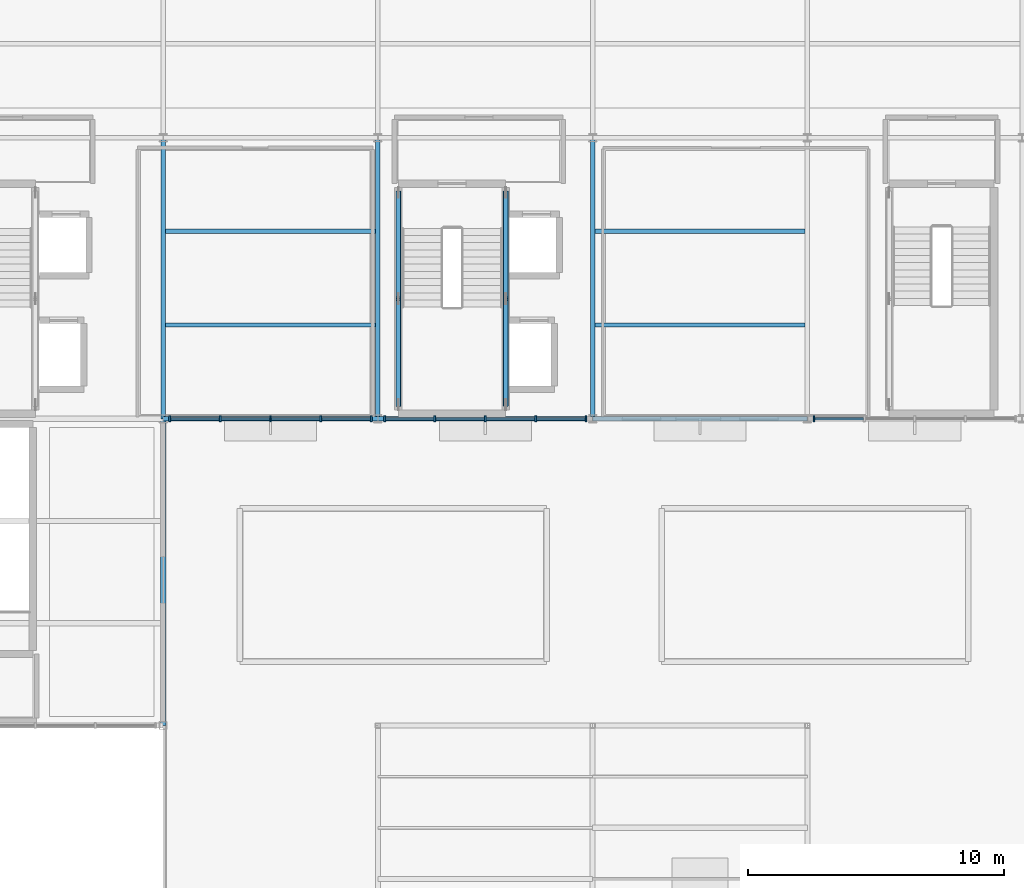
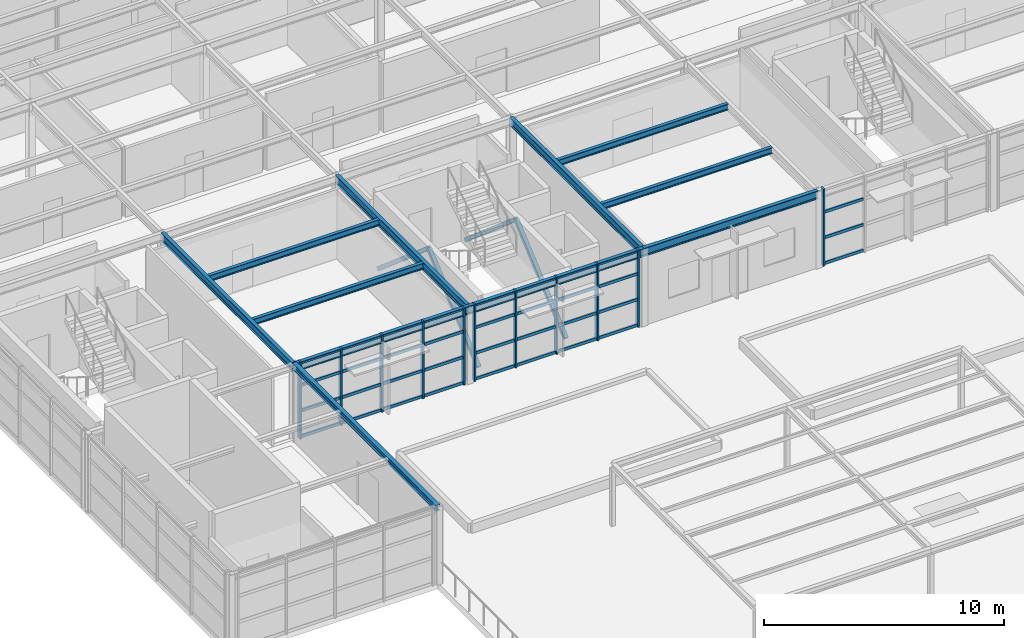
# One storey, part 24 of 49: 50 members, 11 beams, 3 elements without a shape of their own.
"""IFC4 building model written with IfcOpenShell, lengths in metres."""

from ifc_helpers import new_model, si_unit, direction, frame, origin, origin_2d, place, context, subcontext, project, spatial, rectangle, hollow_rectangle, i_section, extrude, material, layer, layer_set, material_profile, profile_set, type_object, element, aggregate, save


model = new_model("IFC4")

# Units and contexts
model_context = context("Model", 3, precision=1e-05, world=origin(), true_north=direction((0.0, 1.0)))
body_context = subcontext(model_context, "Body", "Model", "MODEL_VIEW")
ifc_project = project(units=[si_unit("LENGTHUNIT", "METRE"), si_unit("AREAUNIT", "SQUARE_METRE"), si_unit("VOLUMEUNIT", "CUBIC_METRE"), si_unit("PLANEANGLEUNIT", "RADIAN"), si_unit("MASSUNIT", "GRAM", prefix="KILO")], contexts=[model_context])

# Site, building, storey
site_placement = place(None, origin())
site = spatial("IfcSite", under=ifc_project, at=site_placement, CompositionType="ELEMENT")
building_placement = place(site_placement, origin())
building = spatial("IfcBuilding", under=site, at=building_placement, Name="Sitalva Quay Ferry Terminal", CompositionType="ELEMENT")
storey_placement = place(building_placement, frame((0.0, 0.0, 10.199951171875)))
storey = spatial("IfcBuildingStorey", under=building, at=storey_placement, Name="L03", CompositionType="ELEMENT", Elevation=10.199951171875)

# Beams
ifc_material_1 = material(Name="Structural Steel S355JR", Category="steel")
ifc_material_profile_1 = material_profile(ifc_material_1, i_section(OverallWidth=0.202880859375, OverallDepth=0.302978515625, WebThickness=0.007568359375, FlangeThickness=0.01318359375, FilletRadius=0.011962890625, at=origin_2d()), Name="W310x60")
ifc_profile_set_1 = profile_set([ifc_material_profile_1], Name="Structural Steel S355JR")
beam_type_1 = type_object("IfcBeamType", Name="Beam_W310x60", PredefinedType="BEAM", material=ifc_profile_set_1)
beam_1_placement = place(storey_placement, frame((84.0, 66.0, 3.80859375), z_axis=(0.0, 1.0, 0.0), x_axis=(-1.0, 0.0, 0.0)))
element("IfcBeam", 1, at=beam_1_placement, inside=storey, type_object=beam_type_1, Name="L03 Primary Y girder 1199", PredefinedType="BEAM", context=body_context, shape_type="SweptSolid", body=[
    extrude(i_section(OverallWidth=0.202880859375, OverallDepth=0.302978515625, WebThickness=0.007568359375, FlangeThickness=0.01318359375, FilletRadius=0.011962890625, at=origin_2d()), origin(), (0.0, 0.0, 1.0), 12.0),
])
ifc_material_2 = material(Name="Structural Steel S355JR", Category="steel")
ifc_material_profile_2 = material_profile(ifc_material_2, i_section(OverallWidth=0.178955078125, OverallDepth=0.409912109375, WebThickness=0.0087890625, FlangeThickness=0.014404296875, FilletRadius=0.012939453125, at=origin_2d()), Name="W410x67")
ifc_profile_set_2 = profile_set([ifc_material_profile_2], Name="Structural Steel S355JR")
beam_type_2 = type_object("IfcBeamType", Name="Beam_W410x67", PredefinedType="BEAM", material=ifc_profile_set_2)
for number, where, z_axis, x_axis, name in (
    (2, (84.0, 78.0, 3.715087890625), (0.0, 1.0, 0.0), (-1.0, 0.0, 0.0), "L03 Primary Y girder 1228"),
    (3, (92.39990234375, 78.0, 3.715087890625), (0.0, 1.0, 0.0), (-1.0, 0.0, 0.0), "L03 Primary Y girder 1231"),
    (4, (100.800048828125, 78.0, 3.715087890625), (0.0, 1.0, 0.0), (-1.0, 0.0, 0.0), "L03 Primary Y girder 1234"),
):
    element("IfcBeam", number, at=place(storey_placement, frame(where, z_axis=z_axis, x_axis=x_axis)), inside=storey, type_object=beam_type_2, Name=name, PredefinedType="BEAM", context=body_context, shape_type="SweptSolid", body=[
        extrude(i_section(OverallWidth=0.178955078125, OverallDepth=0.409912109375, WebThickness=0.0087890625, FlangeThickness=0.014404296875, FilletRadius=0.012939453125, at=origin_2d()), origin(), (0.0, 0.0, 1.0), 11.0),
    ])
ifc_material_3 = material(Name="Structural Steel S355JR", Category="steel")
ifc_material_profile_3 = material_profile(ifc_material_3, i_section(OverallWidth=0.180908203125, OverallDepth=0.4169921875, WebThickness=0.010986328125, FlangeThickness=0.018310546875, FilletRadius=0.012939453125, at=origin_2d()), Name="W410x85")
ifc_profile_set_3 = profile_set([ifc_material_profile_3], Name="Structural Steel S355JR")
beam_type_3 = type_object("IfcBeamType", Name="Beam_W410x85", PredefinedType="BEAM", material=ifc_profile_set_3)
beam_2_placement = place(storey_placement, frame((84.0, 78.0, 3.711669921875), z_axis=(1.0, 0.0, 0.0), x_axis=(0.0, 1.0, 0.0)))
element("IfcBeam", 5, at=beam_2_placement, inside=storey, type_object=beam_type_3, Name="L03 Primary X girder 1202", PredefinedType="BEAM", context=body_context, shape_type="SweptSolid", body=[
    extrude(i_section(OverallWidth=0.180908203125, OverallDepth=0.4169921875, WebThickness=0.010986328125, FlangeThickness=0.018310546875, FilletRadius=0.012939453125, at=origin_2d()), origin(), (0.0, 0.0, 1.0), 8.39990234375),
])
beam_3_placement = place(storey_placement, frame((92.39990234375, 78.0, 3.711669921875), z_axis=(1.0, 0.0, 0.0), x_axis=(0.0, 1.0, 0.0)))
element("IfcBeam", 6, at=beam_3_placement, inside=storey, type_object=beam_type_3, Name="L03 Primary X girder 1203", PredefinedType="BEAM", context=body_context, shape_type="SweptSolid", body=[
    extrude(i_section(OverallWidth=0.180908203125, OverallDepth=0.4169921875, WebThickness=0.010986328125, FlangeThickness=0.018310546875, FilletRadius=0.012939453125, at=origin_2d()), origin(), (0.0, 0.0, 1.0), 8.400146484375),
])
beam_4_placement = place(storey_placement, frame((100.800048828125, 78.0, 3.711669921875), z_axis=(1.0, 0.0, 0.0), x_axis=(0.0, 1.0, 0.0)))
element("IfcBeam", 7, at=beam_4_placement, inside=storey, type_object=beam_type_3, Name="L03 Primary X girder 1204", PredefinedType="BEAM", context=body_context, shape_type="SweptSolid", body=[
    extrude(i_section(OverallWidth=0.180908203125, OverallDepth=0.4169921875, WebThickness=0.010986328125, FlangeThickness=0.018310546875, FilletRadius=0.012939453125, at=origin_2d()), origin(), (0.0, 0.0, 1.0), 8.39990234375),
])

# Members
ifc_material_4 = material(Name="Structural Steel S355JR", Category="steel")
ifc_material_profile_4 = material_profile(ifc_material_4, hollow_rectangle(XDim=0.199951171875, YDim=0.199951171875, WallThickness=0.010009765625, InnerFilletRadius=0.010009765625, OuterFilletRadius=0.02001953125, at=origin_2d()), Name="SHS200x200x10")
ifc_profile_set_4 = profile_set([ifc_material_profile_4], Name="Structural Steel S355JR")
member_type_1 = type_object("IfcMemberType", Name="Brace_SHS200x10", PredefinedType="BRACE", material=ifc_profile_set_4)
member_1_placement = place(storey_placement, frame((97.39990234375, 78.550048828125, 0.150146484375), z_axis=(0.0, 0.759912605464, 0.650025254938), x_axis=(-1.0, 0.0, 0.0)))
element("IfcMember", 8, at=member_1_placement, inside=storey, type_object=member_type_1, Name="Braced frame BF3 L03 chevron A", PredefinedType="BRACE", context=body_context, shape_type="SweptSolid", body=[
    extrude(hollow_rectangle(XDim=0.199951171875, YDim=0.199951171875, WallThickness=0.010009765625, InnerFilletRadius=0.010009765625, OuterFilletRadius=0.02001953125, at=origin_2d()), origin(), (0.0, 0.0, 1.0), 5.4609375),
])
member_2_placement = place(storey_placement, frame((97.39990234375, 82.699951171875, 3.699951171875), z_axis=(0.0, 0.759931494254, -0.650003172331), x_axis=(-1.0, 0.0, 0.0)))
element("IfcMember", 9, at=member_2_placement, inside=storey, type_object=member_type_1, Name="Braced frame BF3 L03 chevron B", PredefinedType="BRACE", context=body_context, shape_type="SweptSolid", body=[
    extrude(hollow_rectangle(XDim=0.199951171875, YDim=0.199951171875, WallThickness=0.010009765625, InnerFilletRadius=0.010009765625, OuterFilletRadius=0.02001953125, at=origin_2d()), origin(), (0.0, 0.0, 1.0), 5.461181640625),
])
member_3_placement = place(storey_placement, frame((93.199951171875, 78.550048828125, 0.150146484375), z_axis=(0.0, 0.759912605464, 0.650025254938), x_axis=(-1.0, 0.0, 0.0)))
element("IfcMember", 10, at=member_3_placement, inside=storey, type_object=member_type_1, Name="Braced frame BF6 L03 chevron A", PredefinedType="BRACE", context=body_context, shape_type="SweptSolid", body=[
    extrude(hollow_rectangle(XDim=0.199951171875, YDim=0.199951171875, WallThickness=0.010009765625, InnerFilletRadius=0.010009765625, OuterFilletRadius=0.02001953125, at=origin_2d()), origin(), (0.0, 0.0, 1.0), 5.4609375),
])
member_4_placement = place(storey_placement, frame((93.199951171875, 82.699951171875, 3.699951171875), z_axis=(0.0, 0.759931494254, -0.650003172331), x_axis=(-1.0, 0.0, 0.0)))
element("IfcMember", 11, at=member_4_placement, inside=storey, type_object=member_type_1, Name="Braced frame BF6 L03 chevron B", PredefinedType="BRACE", context=body_context, shape_type="SweptSolid", body=[
    extrude(hollow_rectangle(XDim=0.199951171875, YDim=0.199951171875, WallThickness=0.010009765625, InnerFilletRadius=0.010009765625, OuterFilletRadius=0.02001953125, at=origin_2d()), origin(), (0.0, 0.0, 1.0), 5.461181640625),
])

# Beams
ifc_material_5 = material(Name="Structural Steel S355JR", Category="steel")
ifc_material_profile_5 = material_profile(ifc_material_5, i_section(OverallWidth=0.166015625, OverallDepth=0.31298828125, WebThickness=0.006591796875, FlangeThickness=0.01123046875, FilletRadius=0.010986328125, at=origin_2d()), Name="W310x45")
ifc_profile_set_5 = profile_set([ifc_material_profile_5], Name="Structural Steel S355JR")
beam_type_4 = type_object("IfcBeamType", Name="Joist_W310x45", PredefinedType="JOIST", material=ifc_profile_set_5)
beam_5_placement = place(storey_placement, frame((84.089599609375, 81.666748046875, 3.763427734375), z_axis=(1.0, 0.0, 0.0), x_axis=(0.0, 1.0, 0.0)))
element("IfcBeam", 12, at=beam_5_placement, inside=storey, type_object=beam_type_4, Name="L03 Secondary joist 1246", PredefinedType="JOIST", context=body_context, shape_type="SweptSolid", body=[
    extrude(i_section(OverallWidth=0.166015625, OverallDepth=0.31298828125, WebThickness=0.006591796875, FlangeThickness=0.01123046875, FilletRadius=0.010986328125, at=origin_2d()), origin(), (0.0, 0.0, 1.0), 8.220947265625),
])
beam_6_placement = place(storey_placement, frame((100.889404296875, 81.666748046875, 3.763427734375), z_axis=(1.0, 0.0, 0.0), x_axis=(0.0, 1.0, 0.0)))
element("IfcBeam", 13, at=beam_6_placement, inside=storey, type_object=beam_type_4, Name="L03 Secondary joist 1247", PredefinedType="JOIST", context=body_context, shape_type="SweptSolid", body=[
    extrude(i_section(OverallWidth=0.166015625, OverallDepth=0.31298828125, WebThickness=0.006591796875, FlangeThickness=0.01123046875, FilletRadius=0.010986328125, at=origin_2d()), origin(), (0.0, 0.0, 1.0), 8.22119140625),
])
beam_7_placement = place(storey_placement, frame((84.089599609375, 85.333251953125, 3.763427734375), z_axis=(1.0, 0.0, 0.0), x_axis=(0.0, 1.0, 0.0)))
element("IfcBeam", 14, at=beam_7_placement, inside=storey, type_object=beam_type_4, Name="L03 Secondary joist 1249", PredefinedType="JOIST", context=body_context, shape_type="SweptSolid", body=[
    extrude(i_section(OverallWidth=0.166015625, OverallDepth=0.31298828125, WebThickness=0.006591796875, FlangeThickness=0.01123046875, FilletRadius=0.010986328125, at=origin_2d()), origin(), (0.0, 0.0, 1.0), 8.220947265625),
])
beam_8_placement = place(storey_placement, frame((100.889404296875, 85.333251953125, 3.763427734375), z_axis=(1.0, 0.0, 0.0), x_axis=(0.0, 1.0, 0.0)))
element("IfcBeam", 15, at=beam_8_placement, inside=storey, type_object=beam_type_4, Name="L03 Secondary joist 1250", PredefinedType="JOIST", context=body_context, shape_type="SweptSolid", body=[
    extrude(i_section(OverallWidth=0.166015625, OverallDepth=0.31298828125, WebThickness=0.006591796875, FlangeThickness=0.01123046875, FilletRadius=0.010986328125, at=origin_2d()), origin(), (0.0, 0.0, 1.0), 8.22119140625),
])

# Curtain wall, members
ifc_material_6 = material(Name="Anodised Aluminium & Low-E Glazing", Category="aluminium")
ifc_layer = layer(ifc_material_6, 0.159912109375)
ifc_layer_set = layer_set([ifc_layer], Name="Anodised Aluminium & Low-E Glazing")
curtain_wall_type = type_object("IfcCurtainWallType", Name="CW_Office_Unitised", PredefinedType="USERDEFINED", material=ifc_layer_set)
curtain_wall_1_placement = place(storey_placement, origin())
curtain_wall_1 = element("IfcCurtainWall", 16, at=curtain_wall_1_placement, inside=storey, type_object=curtain_wall_type, Name="L03 maritime bridge south glazing (CW-L03-127)", ObjectType="CURTAIN_WALL", PredefinedType="USERDEFINED")
ifc_material_7 = material(Name="Anodised Aluminium 6063-T6", Category="aluminium")
ifc_material_profile_6 = material_profile(ifc_material_7, rectangle(XDim=0.074951171875, YDim=0.219970703125, at=origin_2d()), Name="ALU75x220")
ifc_profile_set_6 = profile_set([ifc_material_profile_6], Name="Anodised Aluminium 6063-T6")
member_type_2 = type_object("IfcMemberType", Name="Mullion_Alu_75x160", PredefinedType="MULLION", material=ifc_profile_set_6)
member_5_placement = place(storey_placement, frame((84.260009765625, 78.0, 0.0), z_axis=(0.0, 0.0, 1.0), x_axis=(1.0, 0.0, 0.0)))
member_5 = element("IfcMember", 17, at=member_5_placement, type_object=member_type_2, Name="CW-L03-127-M0", PredefinedType="MULLION", context=body_context, shape_type="SweptSolid", body=[
    extrude(rectangle(XDim=0.074951171875, YDim=0.219970703125, at=origin_2d()), origin(), (0.0, 0.0, 1.0), 3.920166015625),
])
member_6_placement = place(storey_placement, frame((86.22998046875, 78.0, 0.0), z_axis=(0.0, 0.0, 1.0), x_axis=(1.0, 0.0, 0.0)))
member_6 = element("IfcMember", 18, at=member_6_placement, type_object=member_type_2, Name="CW-L03-127-M1", PredefinedType="MULLION", context=body_context, shape_type="SweptSolid", body=[
    extrude(rectangle(XDim=0.074951171875, YDim=0.219970703125, at=origin_2d()), origin(), (0.0, 0.0, 1.0), 3.920166015625),
])
member_7_placement = place(storey_placement, frame((88.199951171875, 78.0, 0.0), z_axis=(0.0, 0.0, 1.0), x_axis=(1.0, 0.0, 0.0)))
member_7 = element("IfcMember", 19, at=member_7_placement, type_object=member_type_2, Name="CW-L03-127-M2", PredefinedType="MULLION", context=body_context, shape_type="SweptSolid", body=[
    extrude(rectangle(XDim=0.074951171875, YDim=0.219970703125, at=origin_2d()), origin(), (0.0, 0.0, 1.0), 3.920166015625),
])
member_8_placement = place(storey_placement, frame((90.169921875, 78.0, 0.0), z_axis=(0.0, 0.0, 1.0), x_axis=(1.0, 0.0, 0.0)))
member_8 = element("IfcMember", 20, at=member_8_placement, type_object=member_type_2, Name="CW-L03-127-M3", PredefinedType="MULLION", context=body_context, shape_type="SweptSolid", body=[
    extrude(rectangle(XDim=0.074951171875, YDim=0.219970703125, at=origin_2d()), origin(), (0.0, 0.0, 1.0), 3.920166015625),
])
member_9_placement = place(storey_placement, frame((92.139892578125, 78.0, 0.0), z_axis=(0.0, 0.0, 1.0), x_axis=(1.0, 0.0, 0.0)))
member_9 = element("IfcMember", 21, at=member_9_placement, type_object=member_type_2, Name="CW-L03-127-M4", PredefinedType="MULLION", context=body_context, shape_type="SweptSolid", body=[
    extrude(rectangle(XDim=0.074951171875, YDim=0.219970703125, at=origin_2d()), origin(), (0.0, 0.0, 1.0), 3.920166015625),
])

curtain_wall_2_placement = place(storey_placement, origin())
curtain_wall_2 = element("IfcCurtainWall", 22, at=curtain_wall_2_placement, inside=storey, type_object=curtain_wall_type, Name="L03 maritime bridge south glazing (CW-L03-128)", ObjectType="CURTAIN_WALL", PredefinedType="USERDEFINED")
member_10_placement = place(storey_placement, frame((92.659912109375, 78.0, 0.0), z_axis=(0.0, 0.0, 1.0), x_axis=(1.0, 0.0, 0.0)))
member_10 = element("IfcMember", 23, at=member_10_placement, type_object=member_type_2, Name="CW-L03-128-M0", PredefinedType="MULLION", context=body_context, shape_type="SweptSolid", body=[
    extrude(rectangle(XDim=0.074951171875, YDim=0.219970703125, at=origin_2d()), origin(), (0.0, 0.0, 1.0), 3.920166015625),
])
member_11_placement = place(storey_placement, frame((94.6298828125, 78.0, 0.0), z_axis=(0.0, 0.0, 1.0), x_axis=(1.0, 0.0, 0.0)))
member_11 = element("IfcMember", 24, at=member_11_placement, type_object=member_type_2, Name="CW-L03-128-M1", PredefinedType="MULLION", context=body_context, shape_type="SweptSolid", body=[
    extrude(rectangle(XDim=0.074951171875, YDim=0.219970703125, at=origin_2d()), origin(), (0.0, 0.0, 1.0), 3.920166015625),
])
member_12_placement = place(storey_placement, frame((96.60009765625, 78.0, 0.0), z_axis=(0.0, 0.0, 1.0), x_axis=(1.0, 0.0, 0.0)))
member_12 = element("IfcMember", 25, at=member_12_placement, type_object=member_type_2, Name="CW-L03-128-M2", PredefinedType="MULLION", context=body_context, shape_type="SweptSolid", body=[
    extrude(rectangle(XDim=0.074951171875, YDim=0.219970703125, at=origin_2d()), origin(), (0.0, 0.0, 1.0), 3.920166015625),
])
member_13_placement = place(storey_placement, frame((98.570068359375, 78.0, 0.0), z_axis=(0.0, 0.0, 1.0), x_axis=(1.0, 0.0, 0.0)))
member_13 = element("IfcMember", 26, at=member_13_placement, type_object=member_type_2, Name="CW-L03-128-M3", PredefinedType="MULLION", context=body_context, shape_type="SweptSolid", body=[
    extrude(rectangle(XDim=0.074951171875, YDim=0.219970703125, at=origin_2d()), origin(), (0.0, 0.0, 1.0), 3.920166015625),
])
member_14_placement = place(storey_placement, frame((100.5400390625, 78.0, 0.0), z_axis=(0.0, 0.0, 1.0), x_axis=(1.0, 0.0, 0.0)))
member_14 = element("IfcMember", 27, at=member_14_placement, type_object=member_type_2, Name="CW-L03-128-M4", PredefinedType="MULLION", context=body_context, shape_type="SweptSolid", body=[
    extrude(rectangle(XDim=0.074951171875, YDim=0.219970703125, at=origin_2d()), origin(), (0.0, 0.0, 1.0), 3.920166015625),
])

# Curtain wall, member
curtain_wall_3_placement = place(storey_placement, origin())
curtain_wall_3 = element("IfcCurtainWall", 28, at=curtain_wall_3_placement, inside=storey, type_object=curtain_wall_type, Name="L03 maritime bridge south glazing (CW-L03-129)", ObjectType="CURTAIN_WALL", PredefinedType="USERDEFINED")
member_15_placement = place(storey_placement, frame((109.4599609375, 78.0, 0.0), z_axis=(0.0, 0.0, 1.0), x_axis=(1.0, 0.0, 0.0)))
member_15 = element("IfcMember", 29, at=member_15_placement, type_object=member_type_2, Name="CW-L03-129-M0", PredefinedType="MULLION", context=body_context, shape_type="SweptSolid", body=[
    extrude(rectangle(XDim=0.074951171875, YDim=0.219970703125, at=origin_2d()), origin(), (0.0, 0.0, 1.0), 3.920166015625),
])

# Member
ifc_material_8 = material(Name="Anodised Aluminium 6063-T6", Category="aluminium")
ifc_material_profile_7 = material_profile(ifc_material_8, rectangle(XDim=0.074951171875, YDim=0.14990234375, at=origin_2d()), Name="ALU75x150")
ifc_profile_set_7 = profile_set([ifc_material_profile_7], Name="Anodised Aluminium 6063-T6")
member_type_3 = type_object("IfcMemberType", Name="Transom_Alu_75x140", PredefinedType="MULLION", material=ifc_profile_set_7)
member_16_placement = place(storey_placement, frame((84.297607421875, 78.0, 0.074951171875), z_axis=(1.0, 0.0, 0.0), x_axis=(0.0, 1.0, 0.0)))
member_16 = element("IfcMember", 30, at=member_16_placement, type_object=member_type_3, Name="CW-L03-127-T0-0", ObjectType="TRANSOM", PredefinedType="USERDEFINED", context=body_context, shape_type="SweptSolid", body=[
    extrude(rectangle(XDim=0.074951171875, YDim=0.14990234375, at=origin_2d()), origin(), (0.0, 0.0, 1.0), 1.894775390625),
])

member_17_placement = place(storey_placement, frame((84.297607421875, 78.0, 1.3818359375), z_axis=(1.0, 0.0, 0.0), x_axis=(0.0, 1.0, 0.0)))
member_17 = element("IfcMember", 31, at=member_17_placement, type_object=member_type_3, Name="CW-L03-127-T0-1", ObjectType="TRANSOM", PredefinedType="USERDEFINED", context=body_context, shape_type="SweptSolid", body=[
    extrude(rectangle(XDim=0.074951171875, YDim=0.14990234375, at=origin_2d()), origin(), (0.0, 0.0, 1.0), 1.894775390625),
])

member_18_placement = place(storey_placement, frame((84.297607421875, 78.0, 2.6884765625), z_axis=(1.0, 0.0, 0.0), x_axis=(0.0, 1.0, 0.0)))
member_18 = element("IfcMember", 32, at=member_18_placement, type_object=member_type_3, Name="CW-L03-127-T0-2", ObjectType="TRANSOM", PredefinedType="USERDEFINED", context=body_context, shape_type="SweptSolid", body=[
    extrude(rectangle(XDim=0.074951171875, YDim=0.14990234375, at=origin_2d()), origin(), (0.0, 0.0, 1.0), 1.894775390625),
])

member_19_placement = place(storey_placement, frame((84.297607421875, 78.0, 3.844970703125), z_axis=(1.0, 0.0, 0.0), x_axis=(0.0, 1.0, 0.0)))
member_19 = element("IfcMember", 33, at=member_19_placement, type_object=member_type_3, Name="CW-L03-127-T0-3", ObjectType="TRANSOM", PredefinedType="USERDEFINED", context=body_context, shape_type="SweptSolid", body=[
    extrude(rectangle(XDim=0.074951171875, YDim=0.14990234375, at=origin_2d()), origin(), (0.0, 0.0, 1.0), 1.894775390625),
])

member_20_placement = place(storey_placement, frame((86.267578125, 78.0, 0.074951171875), z_axis=(1.0, 0.0, 0.0), x_axis=(0.0, 1.0, 0.0)))
member_20 = element("IfcMember", 34, at=member_20_placement, type_object=member_type_3, Name="CW-L03-127-T1-0", ObjectType="TRANSOM", PredefinedType="USERDEFINED", context=body_context, shape_type="SweptSolid", body=[
    extrude(rectangle(XDim=0.074951171875, YDim=0.14990234375, at=origin_2d()), origin(), (0.0, 0.0, 1.0), 1.89501953125),
])

member_21_placement = place(storey_placement, frame((86.267578125, 78.0, 1.3818359375), z_axis=(1.0, 0.0, 0.0), x_axis=(0.0, 1.0, 0.0)))
member_21 = element("IfcMember", 35, at=member_21_placement, type_object=member_type_3, Name="CW-L03-127-T1-1", ObjectType="TRANSOM", PredefinedType="USERDEFINED", context=body_context, shape_type="SweptSolid", body=[
    extrude(rectangle(XDim=0.074951171875, YDim=0.14990234375, at=origin_2d()), origin(), (0.0, 0.0, 1.0), 1.89501953125),
])

member_22_placement = place(storey_placement, frame((86.267578125, 78.0, 2.6884765625), z_axis=(1.0, 0.0, 0.0), x_axis=(0.0, 1.0, 0.0)))
member_22 = element("IfcMember", 36, at=member_22_placement, type_object=member_type_3, Name="CW-L03-127-T1-2", ObjectType="TRANSOM", PredefinedType="USERDEFINED", context=body_context, shape_type="SweptSolid", body=[
    extrude(rectangle(XDim=0.074951171875, YDim=0.14990234375, at=origin_2d()), origin(), (0.0, 0.0, 1.0), 1.89501953125),
])

member_23_placement = place(storey_placement, frame((86.267578125, 78.0, 3.844970703125), z_axis=(1.0, 0.0, 0.0), x_axis=(0.0, 1.0, 0.0)))
member_23 = element("IfcMember", 37, at=member_23_placement, type_object=member_type_3, Name="CW-L03-127-T1-3", ObjectType="TRANSOM", PredefinedType="USERDEFINED", context=body_context, shape_type="SweptSolid", body=[
    extrude(rectangle(XDim=0.074951171875, YDim=0.14990234375, at=origin_2d()), origin(), (0.0, 0.0, 1.0), 1.89501953125),
])

member_24_placement = place(storey_placement, frame((88.237548828125, 78.0, 0.074951171875), z_axis=(1.0, 0.0, 0.0), x_axis=(0.0, 1.0, 0.0)))
member_24 = element("IfcMember", 38, at=member_24_placement, type_object=member_type_3, Name="CW-L03-127-T2-0", ObjectType="TRANSOM", PredefinedType="USERDEFINED", context=body_context, shape_type="SweptSolid", body=[
    extrude(rectangle(XDim=0.074951171875, YDim=0.14990234375, at=origin_2d()), origin(), (0.0, 0.0, 1.0), 1.89501953125),
])

member_25_placement = place(storey_placement, frame((88.237548828125, 78.0, 1.3818359375), z_axis=(1.0, 0.0, 0.0), x_axis=(0.0, 1.0, 0.0)))
member_25 = element("IfcMember", 39, at=member_25_placement, type_object=member_type_3, Name="CW-L03-127-T2-1", ObjectType="TRANSOM", PredefinedType="USERDEFINED", context=body_context, shape_type="SweptSolid", body=[
    extrude(rectangle(XDim=0.074951171875, YDim=0.14990234375, at=origin_2d()), origin(), (0.0, 0.0, 1.0), 1.89501953125),
])

member_26_placement = place(storey_placement, frame((88.237548828125, 78.0, 2.6884765625), z_axis=(1.0, 0.0, 0.0), x_axis=(0.0, 1.0, 0.0)))
member_26 = element("IfcMember", 40, at=member_26_placement, type_object=member_type_3, Name="CW-L03-127-T2-2", ObjectType="TRANSOM", PredefinedType="USERDEFINED", context=body_context, shape_type="SweptSolid", body=[
    extrude(rectangle(XDim=0.074951171875, YDim=0.14990234375, at=origin_2d()), origin(), (0.0, 0.0, 1.0), 1.89501953125),
])

member_27_placement = place(storey_placement, frame((88.237548828125, 78.0, 3.844970703125), z_axis=(1.0, 0.0, 0.0), x_axis=(0.0, 1.0, 0.0)))
member_27 = element("IfcMember", 41, at=member_27_placement, type_object=member_type_3, Name="CW-L03-127-T2-3", ObjectType="TRANSOM", PredefinedType="USERDEFINED", context=body_context, shape_type="SweptSolid", body=[
    extrude(rectangle(XDim=0.074951171875, YDim=0.14990234375, at=origin_2d()), origin(), (0.0, 0.0, 1.0), 1.89501953125),
])

member_28_placement = place(storey_placement, frame((90.20751953125, 78.0, 0.074951171875), z_axis=(1.0, 0.0, 0.0), x_axis=(0.0, 1.0, 0.0)))
member_28 = element("IfcMember", 42, at=member_28_placement, type_object=member_type_3, Name="CW-L03-127-T3-0", ObjectType="TRANSOM", PredefinedType="USERDEFINED", context=body_context, shape_type="SweptSolid", body=[
    extrude(rectangle(XDim=0.074951171875, YDim=0.14990234375, at=origin_2d()), origin(), (0.0, 0.0, 1.0), 1.89501953125),
])

member_29_placement = place(storey_placement, frame((90.20751953125, 78.0, 1.3818359375), z_axis=(1.0, 0.0, 0.0), x_axis=(0.0, 1.0, 0.0)))
member_29 = element("IfcMember", 43, at=member_29_placement, type_object=member_type_3, Name="CW-L03-127-T3-1", ObjectType="TRANSOM", PredefinedType="USERDEFINED", context=body_context, shape_type="SweptSolid", body=[
    extrude(rectangle(XDim=0.074951171875, YDim=0.14990234375, at=origin_2d()), origin(), (0.0, 0.0, 1.0), 1.89501953125),
])

member_30_placement = place(storey_placement, frame((90.20751953125, 78.0, 2.6884765625), z_axis=(1.0, 0.0, 0.0), x_axis=(0.0, 1.0, 0.0)))
member_30 = element("IfcMember", 44, at=member_30_placement, type_object=member_type_3, Name="CW-L03-127-T3-2", ObjectType="TRANSOM", PredefinedType="USERDEFINED", context=body_context, shape_type="SweptSolid", body=[
    extrude(rectangle(XDim=0.074951171875, YDim=0.14990234375, at=origin_2d()), origin(), (0.0, 0.0, 1.0), 1.89501953125),
])

member_31_placement = place(storey_placement, frame((90.20751953125, 78.0, 3.844970703125), z_axis=(1.0, 0.0, 0.0), x_axis=(0.0, 1.0, 0.0)))
member_31 = element("IfcMember", 45, at=member_31_placement, type_object=member_type_3, Name="CW-L03-127-T3-3", ObjectType="TRANSOM", PredefinedType="USERDEFINED", context=body_context, shape_type="SweptSolid", body=[
    extrude(rectangle(XDim=0.074951171875, YDim=0.14990234375, at=origin_2d()), origin(), (0.0, 0.0, 1.0), 1.89501953125),
])

aggregate(curtain_wall_1, [member_5, member_6, member_7, member_8, member_9, member_16, member_17, member_18, member_19, member_20, member_21, member_22, member_23, member_24, member_25, member_26, member_27, member_28, member_29, member_30, member_31])

member_32_placement = place(storey_placement, frame((92.697509765625, 78.0, 0.074951171875), z_axis=(1.0, 0.0, 0.0), x_axis=(0.0, 1.0, 0.0)))
member_32 = element("IfcMember", 46, at=member_32_placement, type_object=member_type_3, Name="CW-L03-128-T0-0", ObjectType="TRANSOM", PredefinedType="USERDEFINED", context=body_context, shape_type="SweptSolid", body=[
    extrude(rectangle(XDim=0.074951171875, YDim=0.14990234375, at=origin_2d()), origin(), (0.0, 0.0, 1.0), 1.89501953125),
])

member_33_placement = place(storey_placement, frame((92.697509765625, 78.0, 1.3818359375), z_axis=(1.0, 0.0, 0.0), x_axis=(0.0, 1.0, 0.0)))
member_33 = element("IfcMember", 47, at=member_33_placement, type_object=member_type_3, Name="CW-L03-128-T0-1", ObjectType="TRANSOM", PredefinedType="USERDEFINED", context=body_context, shape_type="SweptSolid", body=[
    extrude(rectangle(XDim=0.074951171875, YDim=0.14990234375, at=origin_2d()), origin(), (0.0, 0.0, 1.0), 1.89501953125),
])

member_34_placement = place(storey_placement, frame((92.697509765625, 78.0, 2.6884765625), z_axis=(1.0, 0.0, 0.0), x_axis=(0.0, 1.0, 0.0)))
member_34 = element("IfcMember", 48, at=member_34_placement, type_object=member_type_3, Name="CW-L03-128-T0-2", ObjectType="TRANSOM", PredefinedType="USERDEFINED", context=body_context, shape_type="SweptSolid", body=[
    extrude(rectangle(XDim=0.074951171875, YDim=0.14990234375, at=origin_2d()), origin(), (0.0, 0.0, 1.0), 1.89501953125),
])

member_35_placement = place(storey_placement, frame((92.697509765625, 78.0, 3.844970703125), z_axis=(1.0, 0.0, 0.0), x_axis=(0.0, 1.0, 0.0)))
member_35 = element("IfcMember", 49, at=member_35_placement, type_object=member_type_3, Name="CW-L03-128-T0-3", ObjectType="TRANSOM", PredefinedType="USERDEFINED", context=body_context, shape_type="SweptSolid", body=[
    extrude(rectangle(XDim=0.074951171875, YDim=0.14990234375, at=origin_2d()), origin(), (0.0, 0.0, 1.0), 1.89501953125),
])

member_36_placement = place(storey_placement, frame((94.66748046875, 78.0, 0.074951171875), z_axis=(1.0, 0.0, 0.0), x_axis=(0.0, 1.0, 0.0)))
member_36 = element("IfcMember", 50, at=member_36_placement, type_object=member_type_3, Name="CW-L03-128-T1-0", ObjectType="TRANSOM", PredefinedType="USERDEFINED", context=body_context, shape_type="SweptSolid", body=[
    extrude(rectangle(XDim=0.074951171875, YDim=0.14990234375, at=origin_2d()), origin(), (0.0, 0.0, 1.0), 1.89501953125),
])

member_37_placement = place(storey_placement, frame((94.66748046875, 78.0, 1.3818359375), z_axis=(1.0, 0.0, 0.0), x_axis=(0.0, 1.0, 0.0)))
member_37 = element("IfcMember", 51, at=member_37_placement, type_object=member_type_3, Name="CW-L03-128-T1-1", ObjectType="TRANSOM", PredefinedType="USERDEFINED", context=body_context, shape_type="SweptSolid", body=[
    extrude(rectangle(XDim=0.074951171875, YDim=0.14990234375, at=origin_2d()), origin(), (0.0, 0.0, 1.0), 1.89501953125),
])

member_38_placement = place(storey_placement, frame((94.66748046875, 78.0, 2.6884765625), z_axis=(1.0, 0.0, 0.0), x_axis=(0.0, 1.0, 0.0)))
member_38 = element("IfcMember", 52, at=member_38_placement, type_object=member_type_3, Name="CW-L03-128-T1-2", ObjectType="TRANSOM", PredefinedType="USERDEFINED", context=body_context, shape_type="SweptSolid", body=[
    extrude(rectangle(XDim=0.074951171875, YDim=0.14990234375, at=origin_2d()), origin(), (0.0, 0.0, 1.0), 1.89501953125),
])

member_39_placement = place(storey_placement, frame((94.66748046875, 78.0, 3.844970703125), z_axis=(1.0, 0.0, 0.0), x_axis=(0.0, 1.0, 0.0)))
member_39 = element("IfcMember", 53, at=member_39_placement, type_object=member_type_3, Name="CW-L03-128-T1-3", ObjectType="TRANSOM", PredefinedType="USERDEFINED", context=body_context, shape_type="SweptSolid", body=[
    extrude(rectangle(XDim=0.074951171875, YDim=0.14990234375, at=origin_2d()), origin(), (0.0, 0.0, 1.0), 1.89501953125),
])

member_40_placement = place(storey_placement, frame((96.637451171875, 78.0, 0.074951171875), z_axis=(1.0, 0.0, 0.0), x_axis=(0.0, 1.0, 0.0)))
member_40 = element("IfcMember", 54, at=member_40_placement, type_object=member_type_3, Name="CW-L03-128-T2-0", ObjectType="TRANSOM", PredefinedType="USERDEFINED", context=body_context, shape_type="SweptSolid", body=[
    extrude(rectangle(XDim=0.074951171875, YDim=0.14990234375, at=origin_2d()), origin(), (0.0, 0.0, 1.0), 1.89501953125),
])

member_41_placement = place(storey_placement, frame((96.637451171875, 78.0, 1.3818359375), z_axis=(1.0, 0.0, 0.0), x_axis=(0.0, 1.0, 0.0)))
member_41 = element("IfcMember", 55, at=member_41_placement, type_object=member_type_3, Name="CW-L03-128-T2-1", ObjectType="TRANSOM", PredefinedType="USERDEFINED", context=body_context, shape_type="SweptSolid", body=[
    extrude(rectangle(XDim=0.074951171875, YDim=0.14990234375, at=origin_2d()), origin(), (0.0, 0.0, 1.0), 1.89501953125),
])

member_42_placement = place(storey_placement, frame((96.637451171875, 78.0, 2.6884765625), z_axis=(1.0, 0.0, 0.0), x_axis=(0.0, 1.0, 0.0)))
member_42 = element("IfcMember", 56, at=member_42_placement, type_object=member_type_3, Name="CW-L03-128-T2-2", ObjectType="TRANSOM", PredefinedType="USERDEFINED", context=body_context, shape_type="SweptSolid", body=[
    extrude(rectangle(XDim=0.074951171875, YDim=0.14990234375, at=origin_2d()), origin(), (0.0, 0.0, 1.0), 1.89501953125),
])

member_43_placement = place(storey_placement, frame((96.637451171875, 78.0, 3.844970703125), z_axis=(1.0, 0.0, 0.0), x_axis=(0.0, 1.0, 0.0)))
member_43 = element("IfcMember", 57, at=member_43_placement, type_object=member_type_3, Name="CW-L03-128-T2-3", ObjectType="TRANSOM", PredefinedType="USERDEFINED", context=body_context, shape_type="SweptSolid", body=[
    extrude(rectangle(XDim=0.074951171875, YDim=0.14990234375, at=origin_2d()), origin(), (0.0, 0.0, 1.0), 1.89501953125),
])

member_44_placement = place(storey_placement, frame((98.607421875, 78.0, 0.074951171875), z_axis=(1.0, 0.0, 0.0), x_axis=(0.0, 1.0, 0.0)))
member_44 = element("IfcMember", 58, at=member_44_placement, type_object=member_type_3, Name="CW-L03-128-T3-0", ObjectType="TRANSOM", PredefinedType="USERDEFINED", context=body_context, shape_type="SweptSolid", body=[
    extrude(rectangle(XDim=0.074951171875, YDim=0.14990234375, at=origin_2d()), origin(), (0.0, 0.0, 1.0), 1.89501953125),
])

member_45_placement = place(storey_placement, frame((98.607421875, 78.0, 1.3818359375), z_axis=(1.0, 0.0, 0.0), x_axis=(0.0, 1.0, 0.0)))
member_45 = element("IfcMember", 59, at=member_45_placement, type_object=member_type_3, Name="CW-L03-128-T3-1", ObjectType="TRANSOM", PredefinedType="USERDEFINED", context=body_context, shape_type="SweptSolid", body=[
    extrude(rectangle(XDim=0.074951171875, YDim=0.14990234375, at=origin_2d()), origin(), (0.0, 0.0, 1.0), 1.89501953125),
])

member_46_placement = place(storey_placement, frame((98.607421875, 78.0, 2.6884765625), z_axis=(1.0, 0.0, 0.0), x_axis=(0.0, 1.0, 0.0)))
member_46 = element("IfcMember", 60, at=member_46_placement, type_object=member_type_3, Name="CW-L03-128-T3-2", ObjectType="TRANSOM", PredefinedType="USERDEFINED", context=body_context, shape_type="SweptSolid", body=[
    extrude(rectangle(XDim=0.074951171875, YDim=0.14990234375, at=origin_2d()), origin(), (0.0, 0.0, 1.0), 1.89501953125),
])

member_47_placement = place(storey_placement, frame((98.607421875, 78.0, 3.844970703125), z_axis=(1.0, 0.0, 0.0), x_axis=(0.0, 1.0, 0.0)))
member_47 = element("IfcMember", 61, at=member_47_placement, type_object=member_type_3, Name="CW-L03-128-T3-3", ObjectType="TRANSOM", PredefinedType="USERDEFINED", context=body_context, shape_type="SweptSolid", body=[
    extrude(rectangle(XDim=0.074951171875, YDim=0.14990234375, at=origin_2d()), origin(), (0.0, 0.0, 1.0), 1.89501953125),
])

aggregate(curtain_wall_2, [member_10, member_11, member_12, member_13, member_14, member_32, member_33, member_34, member_35, member_36, member_37, member_38, member_39, member_40, member_41, member_42, member_43, member_44, member_45, member_46, member_47])

member_48_placement = place(storey_placement, frame((109.49755859375, 78.0, 0.074951171875), z_axis=(1.0, 0.0, 0.0), x_axis=(0.0, 1.0, 0.0)))
member_48 = element("IfcMember", 62, at=member_48_placement, type_object=member_type_3, Name="CW-L03-129-T0-0", ObjectType="TRANSOM", PredefinedType="USERDEFINED", context=body_context, shape_type="SweptSolid", body=[
    extrude(rectangle(XDim=0.074951171875, YDim=0.14990234375, at=origin_2d()), origin(), (0.0, 0.0, 1.0), 1.89501953125),
])

member_49_placement = place(storey_placement, frame((109.49755859375, 78.0, 1.3818359375), z_axis=(1.0, 0.0, 0.0), x_axis=(0.0, 1.0, 0.0)))
member_49 = element("IfcMember", 63, at=member_49_placement, type_object=member_type_3, Name="CW-L03-129-T0-1", ObjectType="TRANSOM", PredefinedType="USERDEFINED", context=body_context, shape_type="SweptSolid", body=[
    extrude(rectangle(XDim=0.074951171875, YDim=0.14990234375, at=origin_2d()), origin(), (0.0, 0.0, 1.0), 1.89501953125),
])

member_50_placement = place(storey_placement, frame((109.49755859375, 78.0, 2.6884765625), z_axis=(1.0, 0.0, 0.0), x_axis=(0.0, 1.0, 0.0)))
member_50 = element("IfcMember", 64, at=member_50_placement, type_object=member_type_3, Name="CW-L03-129-T0-2", ObjectType="TRANSOM", PredefinedType="USERDEFINED", context=body_context, shape_type="SweptSolid", body=[
    extrude(rectangle(XDim=0.074951171875, YDim=0.14990234375, at=origin_2d()), origin(), (0.0, 0.0, 1.0), 1.89501953125),
])

aggregate(curtain_wall_3, [member_15, member_48, member_49, member_50])

save(model, "model.ifc")
